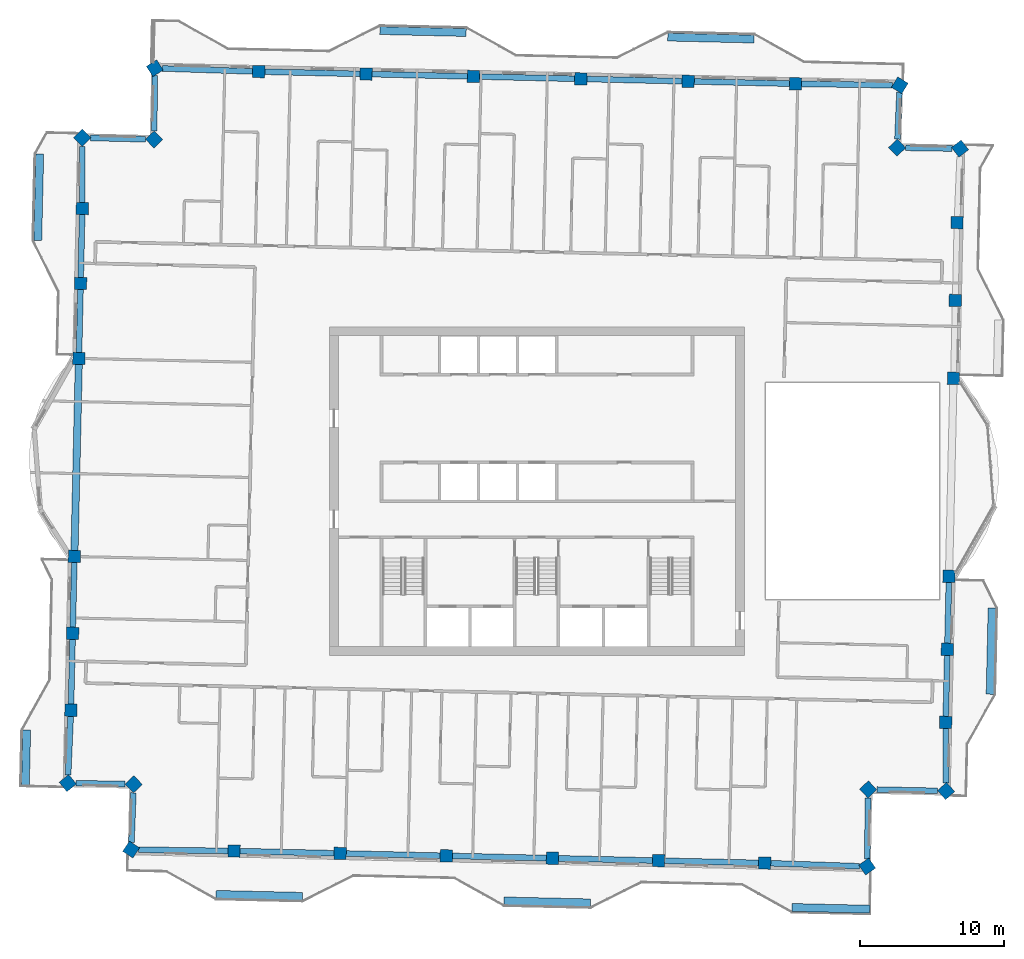
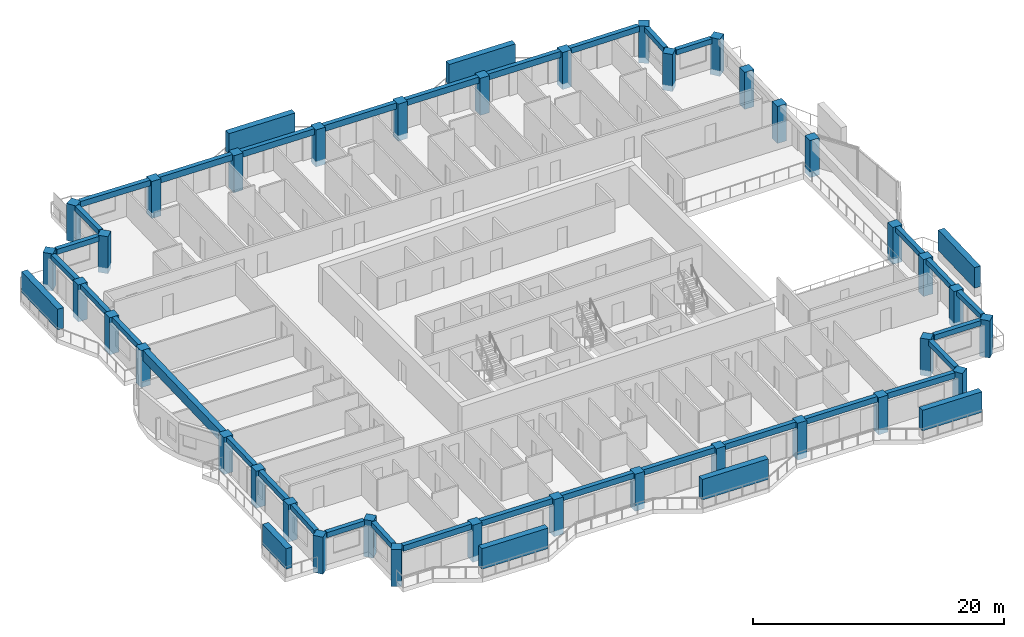
# One storey, part 1 of 15: 36 columns, 32 beams, 8 members.
"""IFC4 building model written with IfcOpenShell, lengths in metres."""

from ifc_helpers import new_model, si_unit, direction, frame, origin, origin_2d, place, context, subcontext, project, spatial, rectangle, extrude, material, material_profile, profile_set, type_object, element, save


model = new_model("IFC4")

# Units and contexts
model_context = context("Model", 3, precision=1e-05, world=origin(), true_north=direction((0.0, 1.0)))
body_context = subcontext(model_context, "Body", "Model", "MODEL_VIEW")
ifc_project = project(units=[si_unit("LENGTHUNIT", "METRE"), si_unit("AREAUNIT", "SQUARE_METRE"), si_unit("VOLUMEUNIT", "CUBIC_METRE"), si_unit("PLANEANGLEUNIT", "RADIAN"), si_unit("MASSUNIT", "GRAM", prefix="KILO")], contexts=[model_context])

# Site, building, storey
site_placement = place(None, origin())
site = spatial("IfcSite", under=ifc_project, at=site_placement, CompositionType="ELEMENT")
building_placement = place(site_placement, origin())
building = spatial("IfcBuilding", under=site, at=building_placement, Name="Mangrove Gate Tower", CompositionType="ELEMENT")
storey_placement = place(building_placement, frame((0.0, 0.0, 316.89990234375)))
storey = spatial("IfcBuildingStorey", under=building, at=storey_placement, Name="L81", CompositionType="ELEMENT", Elevation=316.89990234375)

# Columns
ifc_material_1 = material(Name="Concrete C50/60", Category="concrete")
ifc_material_profile_1 = material_profile(ifc_material_1, rectangle(XDim=0.85009765625, YDim=0.85009765625, at=origin_2d()))
ifc_profile_set_1 = profile_set([ifc_material_profile_1], Name="Concrete C50/60")
column_type = type_object("IfcColumnType", Name="Column RC 850x850 C50/60", PredefinedType="COLUMN", material=ifc_profile_set_1)
for number, where, z_axis, x_axis, name in (
    (1, (-32.123046875, -4.53466796875, -0.5498046875), (0.0, 0.0, 1.0), (-0.022679760793, -0.999742781144, 0.0), "Column L81 W06"),
    (2, (-32.244140625, -9.87451171875, -0.5498046875), (0.0, 0.0, 1.0), (-0.022653360746, -0.999743379696, 0.0), "Column L81 W07"),
    (3, (-32.364990234375, -15.214599609375, -0.5498046875), (0.0, 0.0, 1.0), (-0.022746921185, -0.999741255314, 0.0), "Column L81 W08"),
    (4, (-32.583740234375, -20.275146484375, -0.5498046875), (0.0, 0.0, 1.0), (0.63510539695, -0.772425488164, 0.0), "Column L81 W09"),
    (5, (-28.005615234375, -20.3564453125, -0.5498046875), (0.0, 0.0, 1.0), (0.690863130287, -0.722985570541, 0.0), "Column L81 W10"),
    (6, (-28.183837890625, -24.8935546875, -0.5498046875), (0.0, 0.0, 1.0), (0.836135337265, -0.548523197118, 0.0), "Column L81 S01"),
    (7, (-21.038330078125, -24.9912109375, -0.5498046875), (0.0, 0.0, 1.0), (0.999743338971, -0.022655157973, 0.0), "Column L81 S02"),
    (8, (-13.66845703125, -25.158203125, -0.5498046875), (0.0, 0.0, 1.0), (0.999743338971, -0.022655157973, 0.0), "Column L81 S03"),
    (9, (-6.29931640625, -25.3251953125, -0.5498046875), (0.0, 0.0, 1.0), (0.999743338971, -0.022655157973, 0.0), "Column L81 S04"),
    (10, (1.070556640625, -25.4921875, -0.5498046875), (0.0, 0.0, 1.0), (0.999741800516, -0.02272294656, 0.0), "Column L81 S05"),
    (11, (8.439697265625, -25.66015625, -0.5498046875), (0.0, 0.0, 1.0), (0.999741800516, -0.02272294656, 0.0), "Column L81 S06"),
    (12, (15.8095703125, -25.8271484375, -0.5498046875), (0.0, 0.0, 1.0), (0.999743373766, -0.022653622478, 0.0), "Column L81 S07"),
    (13, (22.9267578125, -26.070556640625, -0.5498046875), (0.0, 0.0, 1.0), (0.81992028728, 0.572477704812, 0.0), "Column L81 S08"),
    (14, (22.998291015625, -20.713623046875, -0.5498046875), (0.0, 0.0, 1.0), (0.722965976266, 0.690883635037, 0.0), "Column L81 E01"),
    (15, (28.406982421875, -20.826904296875, -0.5498046875), (0.0, 0.0, 1.0), (0.744004906603, 0.66817415316, 0.0), "Column L81 E02"),
    (16, (28.381103515625, -16.059326171875, -0.5498046875), (0.0, 0.0, 1.0), (0.022660985877, 0.999743206888, 0.0), "Column L81 E03"),
    (17, (28.49609375, -10.986328125, -0.5498046875), (0.0, 0.0, 1.0), (0.022660985877, 0.999743206888, 0.0), "Column L81 E04"),
    (18, (28.611083984375, -5.912353515625, -0.5498046875), (0.0, 0.0, 1.0), (0.022681592917, 0.99974273958, 0.0), "Column L81 E05"),
    (19, (28.923095703125, 7.834716796875, -0.5498046875), (0.0, 0.0, 1.0), (0.022704799818, 0.999742212805, 0.0), "Column L81 E06"),
    (20, (29.046142578125, 13.24169921875, -0.5498046875), (0.0, 0.0, 1.0), (0.022652104431, 0.999743408163, 0.0), "Column L81 E07"),
    (21, (29.168212890625, 18.647705078125, -0.5498046875), (0.0, 0.0, 1.0), (0.022652104431, 0.999743408163, 0.0), "Column L81 E08"),
    (22, (29.38037109375, 23.784423828125, -0.5498046875), (0.0, 0.0, 1.0), (-0.613294984085, 0.789853950104, 0.0), "Column L81 E09"),
    (23, (25.009765625, 23.851318359375, -0.5498046875), (0.0, 0.0, 1.0), (-0.690854032309, 0.722994264183, 0.0), "Column L81 E10"),
    (24, (25.19287109375, 28.182861328125, -0.5498046875), (0.0, 0.0, 1.0), (-0.849493800932, 0.527598599484, 0.0), "Column L81 N01"),
    (25, (17.952392578125, 28.2880859375, -0.5498046875), (0.0, 0.0, 1.0), (-0.999743149141, 0.022663533403, 0.0), "Column L81 N02"),
    (26, (10.497314453125, 28.45703125, -0.5498046875), (0.0, 0.0, 1.0), (-0.999741662484, 0.022729018737, 0.0), "Column L81 N03"),
    (27, (3.041259765625, 28.627197265625, -0.5498046875), (0.0, 0.0, 1.0), (-0.999741662484, 0.022729018737, 0.0), "Column L81 N04"),
    (28, (-4.41357421875, 28.796142578125, -0.5498046875), (0.0, 0.0, 1.0), (-0.999743149141, 0.022663533403, 0.0), "Column L81 N05"),
    (29, (-11.86865234375, 28.965087890625, -0.5498046875), (0.0, 0.0, 1.0), (-0.999743149141, 0.022663533403, 0.0), "Column L81 N06"),
    (30, (-19.32373046875, 29.134033203125, -0.5498046875), (0.0, 0.0, 1.0), (-0.999743149141, 0.022663533403, 0.0), "Column L81 N07"),
    (31, (-26.54052734375, 29.36962890625, -0.5498046875), (0.0, 0.0, 1.0), (-0.843037190886, -0.537855273082, 0.0), "Column L81 N08"),
    (32, (-26.58935546875, 24.422607421875, -0.5498046875), (0.0, 0.0, 1.0), (-0.723044060513, -0.690801915571, 0.0), "Column L81 W01"),
    (33, (-31.582275390625, 24.541748046875, -0.5498046875), (0.0, 0.0, 1.0), (-0.708697722555, -0.70551225223, 0.0), "Column L81 W02"),
    (34, (-31.5751953125, 19.62646484375, -0.5498046875), (0.0, 0.0, 1.0), (-0.022655978068, -0.999743320387, 0.0), "Column L81 W03"),
    (35, (-31.693115234375, 14.41943359375, -0.5498046875), (0.0, 0.0, 1.0), (-0.022655978068, -0.999743320387, 0.0), "Column L81 W04"),
    (36, (-31.81103515625, 9.21240234375, -0.5498046875), (0.0, 0.0, 1.0), (-0.022680668131, -0.999742760561, 0.0), "Column L81 W05"),
):
    element("IfcColumn", number, at=place(storey_placement, frame(where, z_axis=z_axis, x_axis=x_axis)), inside=storey, type_object=column_type, Name=name, PredefinedType="COLUMN", context=body_context, shape_type="SweptSolid", body=[
        extrude(rectangle(XDim=0.85009765625, YDim=0.85009765625, at=origin_2d()), origin(), (0.0, 0.0, 1.0), 3.599853515625),
    ])

# Members
ifc_material_2 = material(Name="Planting on aluminium trellis", Category="aluminium")
ifc_material_profile_2 = material_profile(ifc_material_2, rectangle(XDim=0.550048828125, YDim=2.0, at=origin_2d()))
ifc_profile_set_2 = profile_set([ifc_material_profile_2], Name="Planting on aluminium trellis")
member_type = type_object("IfcMemberType", Name="Balcony greenery screen 550x2000", PredefinedType="USERDEFINED", material=ifc_profile_set_2)
member_1_placement = place(storey_placement, frame((31.466064453125, -14.10498046875, 1.800048828125), z_axis=(0.022662255828, 0.999743178102, 0.0), x_axis=(-0.999743178102, 0.022662255828, 0.0)))
element("IfcMember", 37, at=member_1_placement, inside=storey, type_object=member_type, Name="GREEN SCREEN L81 E0.1", ObjectType="PLANTING", PredefinedType="USERDEFINED", context=body_context, shape_type="SweptSolid", body=[
    extrude(rectangle(XDim=0.550048828125, YDim=2.0, at=origin_2d()), origin(), (0.0, 0.0, 1.0), 6.00048828125),
])
member_2_placement = place(storey_placement, frame((9.0810546875, 31.530029296875, 1.800048828125), z_axis=(0.999743094499, -0.022665943652, 0.0), x_axis=(0.022665943652, 0.999743094499, 0.0)))
element("IfcMember", 38, at=member_2_placement, inside=storey, type_object=member_type, Name="GREEN SCREEN L81 N0.1", ObjectType="PLANTING", PredefinedType="USERDEFINED", context=body_context, shape_type="SweptSolid", body=[
    extrude(rectangle(XDim=0.550048828125, YDim=2.0, at=origin_2d()), origin(), (0.0, 0.0, 1.0), 5.99951171875),
])
member_3_placement = place(storey_placement, frame((-10.9140625, 31.98388671875, 1.800048828125), z_axis=(0.999743178102, -0.022662255828, 0.0), x_axis=(0.022662255828, 0.999743178102, 0.0)))
element("IfcMember", 39, at=member_3_placement, inside=storey, type_object=member_type, Name="GREEN SCREEN L81 N1.1", ObjectType="PLANTING", PredefinedType="USERDEFINED", context=body_context, shape_type="SweptSolid", body=[
    extrude(rectangle(XDim=0.550048828125, YDim=2.0, at=origin_2d()), origin(), (0.0, 0.0, 1.0), 6.00048828125),
])
member_4_placement = place(storey_placement, frame((-34.666015625, 17.405029296875, 1.800048828125), z_axis=(0.022665943652, 0.999743094499, 0.0), x_axis=(-0.999743094499, 0.022665943652, 0.0)))
element("IfcMember", 40, at=member_4_placement, inside=storey, type_object=member_type, Name="GREEN SCREEN L81 W0.1", ObjectType="PLANTING", PredefinedType="USERDEFINED", context=body_context, shape_type="SweptSolid", body=[
    extrude(rectangle(XDim=0.550048828125, YDim=2.0, at=origin_2d()), origin(), (0.0, 0.0, 1.0), 5.99951171875),
])
member_5_placement = place(storey_placement, frame((-35.52587890625, -20.486083984375, 1.800048828125), z_axis=(0.022785392151, 0.999740379251, 0.0), x_axis=(-0.999740379251, 0.022785392151, 0.0)))
element("IfcMember", 41, at=member_5_placement, inside=storey, type_object=member_type, Name="GREEN SCREEN L81 W1.1", ObjectType="PLANTING", PredefinedType="USERDEFINED", context=body_context, shape_type="SweptSolid", body=[
    extrude(rectangle(XDim=0.550048828125, YDim=2.0, at=origin_2d()), origin(), (0.0, 0.0, 1.0), 3.900146484375),
])
for number, where, z_axis, x_axis, name in (
    (42, (-22.278076171875, -28.0029296875, 1.800048828125), (0.999739392852, -0.022828630714, 0.0), (0.022828630714, 0.999739392852, 0.0), "GREEN SCREEN L81 S0.1"),
    (43, (-2.282958984375, -28.45703125, 1.800048828125), (0.999743094499, -0.022665943652, 0.0), (0.022665943652, 0.999743094499, 0.0), "GREEN SCREEN L81 S1.1"),
):
    element("IfcMember", number, at=place(storey_placement, frame(where, z_axis=z_axis, x_axis=x_axis)), inside=storey, type_object=member_type, Name=name, ObjectType="PLANTING", PredefinedType="USERDEFINED", context=body_context, shape_type="SweptSolid", body=[
        extrude(rectangle(XDim=0.550048828125, YDim=2.0, at=origin_2d()), origin(), (0.0, 0.0, 1.0), 5.99951171875),
    ])
member_6_placement = place(storey_placement, frame((17.7109375, -28.910888671875, 1.800048828125), z_axis=(0.999744512495, -0.022603312514, 0.0), x_axis=(0.022603312514, 0.999744512495, 0.0)))
element("IfcMember", 44, at=member_6_placement, inside=storey, type_object=member_type, Name="GREEN SCREEN L81 S1.2", ObjectType="PLANTING", PredefinedType="USERDEFINED", context=body_context, shape_type="SweptSolid", body=[
    extrude(rectangle(XDim=0.550048828125, YDim=2.0, at=origin_2d()), origin(), (0.0, 0.0, 1.0), 5.400634765625),
])

# Beams
ifc_material_3 = material(Name="Concrete C50/60", Category="concrete")
ifc_material_profile_3 = material_profile(ifc_material_3, rectangle(XDim=0.39990234375, YDim=0.5, at=origin_2d()))
ifc_profile_set_3 = profile_set([ifc_material_profile_3], Name="Concrete C50/60")
beam_type_1 = type_object("IfcBeamType", Name="Edge beam RC 400x500 C50/60", PredefinedType="BEAM", material=ifc_profile_set_3)
for number, where, z_axis, x_axis, name in (
    (45, (-32.1328125, -4.95947265625, 2.800048828125), (-0.022612746219, -0.999744299163, 0.0), (0.999744299163, -0.022612746219, 0.0), "Edge beam L81 00"),
    (46, (-32.253662109375, -10.299560546875, 2.800048828125), (-0.022667075886, -0.999743068829, 0.0), (0.999743068829, -0.022667075886, 0.0), "Edge beam L81 01"),
):
    element("IfcBeam", number, at=place(storey_placement, frame(where, z_axis=z_axis, x_axis=x_axis)), inside=storey, type_object=beam_type_1, Name=name, PredefinedType="BEAM", context=body_context, shape_type="SweptSolid", body=[
        extrude(rectangle(XDim=0.39990234375, YDim=0.5, at=origin_2d()), origin(), (0.0, 0.0, 1.0), 4.491455078125),
    ])
beam_1_placement = place(storey_placement, frame((-32.383544921875, -15.639404296875, 2.800048828125), z_axis=(-0.04314038949, -0.999069020035, 0.0), x_axis=(0.999069020035, -0.04314038949, 0.0)))
element("IfcBeam", 47, at=beam_1_placement, inside=storey, type_object=beam_type_1, Name="Edge beam L81 02", PredefinedType="BEAM", context=body_context, shape_type="SweptSolid", body=[
    extrude(rectangle(XDim=0.39990234375, YDim=0.5, at=origin_2d()), origin(), (0.0, 0.0, 1.0), 4.069091796875),
])
beam_2_placement = place(storey_placement, frame((-32.025390625, -20.284912109375, 2.800048828125), z_axis=(0.999842209921, -0.017763875153, 0.0), x_axis=(0.017763875153, 0.999842209921, 0.0)))
element("IfcBeam", 48, at=beam_2_placement, inside=storey, type_object=beam_type_1, Name="Edge beam L81 03", PredefinedType="BEAM", context=body_context, shape_type="SweptSolid", body=[
    extrude(rectangle(XDim=0.39990234375, YDim=0.5, at=origin_2d()), origin(), (0.0, 0.0, 1.0), 3.422119140625),
])
beam_3_placement = place(storey_placement, frame((-28.029052734375, -20.947265625, 2.800048828125), z_axis=(-0.039163422827, -0.999232818873, 0.0), x_axis=(0.999232818873, -0.039163422827, 0.0)))
element("IfcBeam", 49, at=beam_3_placement, inside=storey, type_object=beam_type_1, Name="Edge beam L81 04", PredefinedType="BEAM", context=body_context, shape_type="SweptSolid", body=[
    extrude(rectangle(XDim=0.39990234375, YDim=0.5, at=origin_2d()), origin(), (0.0, 0.0, 1.0), 3.45361328125),
])
beam_4_placement = place(storey_placement, frame((22.93359375, -25.54736328125, 2.800048828125), z_axis=(0.013421223227, 0.999909931327, 0.0), x_axis=(-0.999909931327, 0.013421223227, 0.0)))
element("IfcBeam", 50, at=beam_4_placement, inside=storey, type_object=beam_type_1, Name="Edge beam L81 12", PredefinedType="BEAM", context=body_context, shape_type="SweptSolid", body=[
    extrude(rectangle(XDim=0.39990234375, YDim=0.5, at=origin_2d()), origin(), (0.0, 0.0, 1.0), 4.238525390625),
])
beam_5_placement = place(storey_placement, frame((23.59814453125, -20.726318359375, 2.800048828125), z_axis=(0.999781475511, -0.020904574258, 0.0), x_axis=(0.020904574258, 0.999781475511, 0.0)))
element("IfcBeam", 51, at=beam_5_placement, inside=storey, type_object=beam_type_1, Name="Edge beam L81 13", PredefinedType="BEAM", context=body_context, shape_type="SweptSolid", body=[
    extrude(rectangle(XDim=0.39990234375, YDim=0.5, at=origin_2d()), origin(), (0.0, 0.0, 1.0), 4.227783203125),
])
beam_6_placement = place(storey_placement, frame((28.404052734375, -20.25830078125, 2.800048828125), z_axis=(-0.005499043463, 0.999984880146, 0.0), x_axis=(-0.999984880146, -0.005499043463, 0.0)))
element("IfcBeam", 52, at=beam_6_placement, inside=storey, type_object=beam_type_1, Name="Edge beam L81 14", PredefinedType="BEAM", context=body_context, shape_type="SweptSolid", body=[
    extrude(rectangle(XDim=0.39990234375, YDim=0.5, at=origin_2d()), origin(), (0.0, 0.0, 1.0), 3.773681640625),
])
beam_7_placement = place(storey_placement, frame((28.390625, -15.634521484375, 2.800048828125), z_axis=(0.022713528253, 0.999742014539, 0.0), x_axis=(-0.999742014539, 0.022713528253, 0.0)))
element("IfcBeam", 53, at=beam_7_placement, inside=storey, type_object=beam_type_1, Name="Edge beam L81 15", PredefinedType="BEAM", context=body_context, shape_type="SweptSolid", body=[
    extrude(rectangle(XDim=0.39990234375, YDim=0.5, at=origin_2d()), origin(), (0.0, 0.0, 1.0), 4.22412109375),
])
beam_8_placement = place(storey_placement, frame((28.505859375, -10.5615234375, 2.800048828125), z_axis=(0.022649219304, 0.99974347353, 0.0), x_axis=(-0.99974347353, 0.022649219304, 0.0)))
element("IfcBeam", 54, at=beam_8_placement, inside=storey, type_object=beam_type_1, Name="Edge beam L81 16", PredefinedType="BEAM", context=body_context, shape_type="SweptSolid", body=[
    extrude(rectangle(XDim=0.39990234375, YDim=0.5, at=origin_2d()), origin(), (0.0, 0.0, 1.0), 4.225341796875),
])
beam_9_placement = place(storey_placement, frame((28.835693359375, 23.792724609375, 2.800048828125), z_axis=(-0.999882267326, 0.015344428505, 0.0), x_axis=(-0.015344428505, -0.999882267326, 0.0)))
element("IfcBeam", 55, at=beam_9_placement, inside=storey, type_object=beam_type_1, Name="Edge beam L81 21", PredefinedType="BEAM", context=body_context, shape_type="SweptSolid", body=[
    extrude(rectangle(XDim=0.39990234375, YDim=0.5, at=origin_2d()), origin(), (0.0, 0.0, 1.0), 3.22998046875),
])
beam_10_placement = place(storey_placement, frame((25.03466796875, 24.4404296875, 2.800048828125), z_axis=(0.042188460551, 0.999109670555, 0.0), x_axis=(-0.999109670555, 0.042188460551, 0.0)))
element("IfcBeam", 56, at=beam_10_placement, inside=storey, type_object=beam_type_1, Name="Edge beam L81 22", PredefinedType="BEAM", context=body_context, shape_type="SweptSolid", body=[
    extrude(rectangle(XDim=0.39990234375, YDim=0.5, at=origin_2d()), origin(), (0.0, 0.0, 1.0), 3.258056640625),
])
beam_11_placement = place(storey_placement, frame((-26.54541015625, 28.8623046875, 2.800048828125), z_axis=(-0.009901761604, -0.999950976357, 0.0), x_axis=(0.999950976357, -0.009901761604, 0.0)))
element("IfcBeam", 57, at=beam_11_placement, inside=storey, type_object=beam_type_1, Name="Edge beam L81 30", PredefinedType="BEAM", context=body_context, shape_type="SweptSolid", body=[
    extrude(rectangle(XDim=0.39990234375, YDim=0.5, at=origin_2d()), origin(), (0.0, 0.0, 1.0), 3.846435546875),
])
beam_12_placement = place(storey_placement, frame((-27.189697265625, 24.43701171875, 2.800048828125), z_axis=(-0.999715144974, 0.02386689988, 0.0), x_axis=(-0.02386689988, -0.999715144974, 0.0)))
element("IfcBeam", 58, at=beam_12_placement, inside=storey, type_object=beam_type_1, Name="Edge beam L81 31", PredefinedType="BEAM", context=body_context, shape_type="SweptSolid", body=[
    extrude(rectangle(XDim=0.39990234375, YDim=0.5, at=origin_2d()), origin(), (0.0, 0.0, 1.0), 3.80517578125),
])
beam_13_placement = place(storey_placement, frame((-31.581298828125, 23.94287109375, 2.800048828125), z_axis=(0.001442999941, -0.999998958875, 0.0), x_axis=(0.999998958875, 0.001442999941, 0.0)))
element("IfcBeam", 59, at=beam_13_placement, inside=storey, type_object=beam_type_1, Name="Edge beam L81 32", PredefinedType="BEAM", context=body_context, shape_type="SweptSolid", body=[
    extrude(rectangle(XDim=0.39990234375, YDim=0.5, at=origin_2d()), origin(), (0.0, 0.0, 1.0), 3.891357421875),
])
for number, where, z_axis, x_axis, name in (
    (60, (-31.584716796875, 19.201416015625, 2.800048828125), (-0.02268704877, -0.999742615786, 0.0), (0.999742615786, -0.02268704877, 0.0), "Edge beam L81 33"),
    (61, (-31.70263671875, 13.994384765625, 2.800048828125), (-0.02268704877, -0.999742615786, 0.0), (0.999742615786, -0.02268704877, 0.0), "Edge beam L81 34"),
):
    element("IfcBeam", number, at=place(storey_placement, frame(where, z_axis=z_axis, x_axis=x_axis)), inside=storey, type_object=beam_type_1, Name=name, PredefinedType="BEAM", context=body_context, shape_type="SweptSolid", body=[
        extrude(rectangle(XDim=0.39990234375, YDim=0.5, at=origin_2d()), origin(), (0.0, 0.0, 1.0), 4.3583984375),
    ])
ifc_material_4 = material(Name="Concrete C50/60", Category="concrete")
ifc_material_profile_4 = material_profile(ifc_material_4, rectangle(XDim=0.39990234375, YDim=0.550048828125, at=origin_2d()))
ifc_profile_set_4 = profile_set([ifc_material_profile_4], Name="Concrete C50/60")
beam_type_2 = type_object("IfcBeamType", Name="Edge beam RC 400x550 C50/60", PredefinedType="BEAM", material=ifc_profile_set_4)
beam_14_placement = place(storey_placement, frame((-27.68017578125, -24.900634765625, 2.775146484375), z_axis=(0.999907164256, -0.01362581629, 0.0), x_axis=(0.01362581629, 0.999907164256, 0.0)))
element("IfcBeam", 62, at=beam_14_placement, inside=storey, type_object=beam_type_2, Name="Edge beam L81 05", PredefinedType="BEAM", context=body_context, shape_type="SweptSolid", body=[
    extrude(rectangle(XDim=0.39990234375, YDim=0.550048828125, at=origin_2d()), origin(), (0.0, 0.0, 1.0), 6.21728515625),
])
beam_15_placement = place(storey_placement, frame((-20.613525390625, -25.000732421875, 2.775146484375), z_axis=(0.999743514138, -0.022647426744, 0.0), x_axis=(0.022647426744, 0.999743514138, 0.0)))
element("IfcBeam", 63, at=beam_15_placement, inside=storey, type_object=beam_type_2, Name="Edge beam L81 06", PredefinedType="BEAM", context=body_context, shape_type="SweptSolid", body=[
    extrude(rectangle(XDim=0.39990234375, YDim=0.550048828125, at=origin_2d()), origin(), (0.0, 0.0, 1.0), 6.52197265625),
])
beam_16_placement = place(storey_placement, frame((-13.243408203125, -25.167724609375, 2.775146484375), z_axis=(0.999743418111, -0.022651665342, 0.0), x_axis=(0.022651665342, 0.999743418111, 0.0)))
element("IfcBeam", 64, at=beam_16_placement, inside=storey, type_object=beam_type_2, Name="Edge beam L81 07", PredefinedType="BEAM", context=body_context, shape_type="SweptSolid", body=[
    extrude(rectangle(XDim=0.39990234375, YDim=0.550048828125, at=origin_2d()), origin(), (0.0, 0.0, 1.0), 6.520751953125),
])
beam_17_placement = place(storey_placement, frame((-5.87451171875, -25.334716796875, 2.775146484375), z_axis=(0.999743514138, -0.022647426744, 0.0), x_axis=(0.022647426744, 0.999743514138, 0.0)))
element("IfcBeam", 65, at=beam_17_placement, inside=storey, type_object=beam_type_2, Name="Edge beam L81 08", PredefinedType="BEAM", context=body_context, shape_type="SweptSolid", body=[
    extrude(rectangle(XDim=0.39990234375, YDim=0.550048828125, at=origin_2d()), origin(), (0.0, 0.0, 1.0), 6.52197265625),
])
beam_18_placement = place(storey_placement, frame((1.49560546875, -25.501708984375, 2.775146484375), z_axis=(0.999740015405, -0.022801350812, 0.0), x_axis=(0.022801350812, 0.999740015405, 0.0)))
element("IfcBeam", 66, at=beam_18_placement, inside=storey, type_object=beam_type_2, Name="Edge beam L81 09", PredefinedType="BEAM", context=body_context, shape_type="SweptSolid", body=[
    extrude(rectangle(XDim=0.39990234375, YDim=0.550048828125, at=origin_2d()), origin(), (0.0, 0.0, 1.0), 6.520751953125),
])
beam_19_placement = place(storey_placement, frame((8.864501953125, -25.669677734375, 2.775146484375), z_axis=(0.999743514138, -0.022647426744, 0.0), x_axis=(0.022647426744, 0.999743514138, 0.0)))
element("IfcBeam", 67, at=beam_19_placement, inside=storey, type_object=beam_type_2, Name="Edge beam L81 10", PredefinedType="BEAM", context=body_context, shape_type="SweptSolid", body=[
    extrude(rectangle(XDim=0.39990234375, YDim=0.550048828125, at=origin_2d()), origin(), (0.0, 0.0, 1.0), 6.52197265625),
])
beam_20_placement = place(storey_placement, frame((16.234375, -25.841552734375, 2.775146484375), z_axis=(0.999414481701, -0.034215402472, 0.0), x_axis=(0.034215402472, 0.999414481701, 0.0)))
element("IfcBeam", 68, at=beam_20_placement, inside=storey, type_object=beam_type_2, Name="Edge beam L81 11", PredefinedType="BEAM", context=body_context, shape_type="SweptSolid", body=[
    extrude(rectangle(XDim=0.39990234375, YDim=0.550048828125, at=origin_2d()), origin(), (0.0, 0.0, 1.0), 6.1650390625),
])
beam_21_placement = place(storey_placement, frame((24.697021484375, 28.190185546875, 2.775146484375), z_axis=(-0.999894517446, 0.014524254918, 0.0), x_axis=(-0.014524254918, -0.999894517446, 0.0)))
element("IfcBeam", 69, at=beam_21_placement, inside=storey, type_object=beam_type_2, Name="Edge beam L81 23", PredefinedType="BEAM", context=body_context, shape_type="SweptSolid", body=[
    extrude(rectangle(XDim=0.39990234375, YDim=0.550048828125, at=origin_2d()), origin(), (0.0, 0.0, 1.0), 6.3203125),
])
beam_22_placement = place(storey_placement, frame((-19.74853515625, 29.14794921875, 2.775146484375), z_axis=(-0.999468002837, 0.032614587312, 0.0), x_axis=(-0.032614587312, -0.999468002837, 0.0)))
element("IfcBeam", 70, at=beam_22_placement, inside=storey, type_object=beam_type_2, Name="Edge beam L81 29", PredefinedType="BEAM", context=body_context, shape_type="SweptSolid", body=[
    extrude(rectangle(XDim=0.39990234375, YDim=0.550048828125, at=origin_2d()), origin(), (0.0, 0.0, 1.0), 6.280517578125),
])
ifc_material_5 = material(Name="Concrete C50/60", Category="concrete")
ifc_material_profile_5 = material_profile(ifc_material_5, rectangle(XDim=0.39990234375, YDim=0.60009765625, at=origin_2d()))
ifc_profile_set_5 = profile_set([ifc_material_profile_5], Name="Concrete C50/60")
beam_type_3 = type_object("IfcBeamType", Name="Edge beam RC 400x600 C50/60", PredefinedType="BEAM", material=ifc_profile_set_5)
beam_23_placement = place(storey_placement, frame((17.527587890625, 28.2978515625, 2.75), z_axis=(-0.999743435472, 0.022650899096, 0.0), x_axis=(-0.022650899096, -0.999743435472, 0.0)))
element("IfcBeam", 71, at=beam_23_placement, inside=storey, type_object=beam_type_3, Name="Edge beam L81 24", PredefinedType="BEAM", context=body_context, shape_type="SweptSolid", body=[
    extrude(rectangle(XDim=0.39990234375, YDim=0.60009765625, at=origin_2d()), origin(), (0.0, 0.0, 1.0), 6.607177734375),
])
beam_24_placement = place(storey_placement, frame((10.072509765625, 28.466796875, 2.75), z_axis=(-0.999740135153, 0.022796099759, 0.0), x_axis=(-0.022796099759, -0.999740135153, 0.0)))
element("IfcBeam", 72, at=beam_24_placement, inside=storey, type_object=beam_type_3, Name="Edge beam L81 25", PredefinedType="BEAM", context=body_context, shape_type="SweptSolid", body=[
    extrude(rectangle(XDim=0.39990234375, YDim=0.60009765625, at=origin_2d()), origin(), (0.0, 0.0, 1.0), 6.60791015625),
])
for number, where, z_axis, x_axis, name in (
    (73, (2.616455078125, 28.63671875, 2.75), (-0.999743416513, 0.022651735883, 0.0), (-0.022651735883, -0.999743416513, 0.0), "Edge beam L81 26"),
    (74, (-4.838623046875, 28.8056640625, 2.75), (-0.999742579014, 0.022688669137, 0.0), (-0.022688669137, -0.999742579014, 0.0), "Edge beam L81 27"),
    (75, (-12.29345703125, 28.974853515625, 2.75), (-0.999743416513, 0.022651735883, 0.0), (-0.022651735883, -0.999743416513, 0.0), "Edge beam L81 28"),
):
    element("IfcBeam", number, at=place(storey_placement, frame(where, z_axis=z_axis, x_axis=x_axis)), inside=storey, type_object=beam_type_3, Name=name, PredefinedType="BEAM", context=body_context, shape_type="SweptSolid", body=[
        extrude(rectangle(XDim=0.39990234375, YDim=0.60009765625, at=origin_2d()), origin(), (0.0, 0.0, 1.0), 6.60693359375),
    ])
ifc_material_6 = material(Name="Concrete C50/60", Category="concrete")
ifc_material_profile_6 = material_profile(ifc_material_6, rectangle(XDim=0.5, YDim=1.0, at=origin_2d()))
ifc_profile_set_6 = profile_set([ifc_material_profile_6], Name="Concrete C50/60")
beam_type_4 = type_object("IfcBeamType", Name="Edge beam RC 500x1000 C50/60", PredefinedType="BEAM", material=ifc_profile_set_6)
beam_25_placement = place(storey_placement, frame((-31.82080078125, 8.787353515625, 2.550048828125), z_axis=(-0.022690883298, -0.999742528762, 0.0), x_axis=(0.999742528762, -0.022690883298, 0.0)))
element("IfcBeam", 76, at=beam_25_placement, inside=storey, type_object=beam_type_4, Name="Edge beam L81 35", PredefinedType="BEAM", context=body_context, shape_type="SweptSolid", body=[
    extrude(rectangle(XDim=0.5, YDim=1.0, at=origin_2d()), origin(), (0.0, 0.0, 1.0), 12.900634765625),
])

save(model, "model.ifc")
